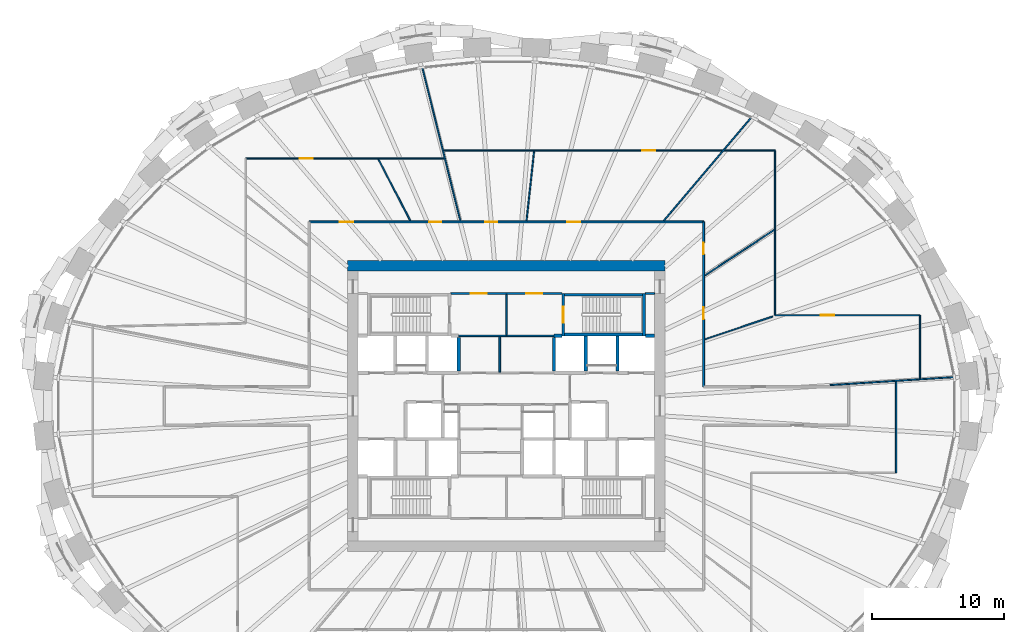
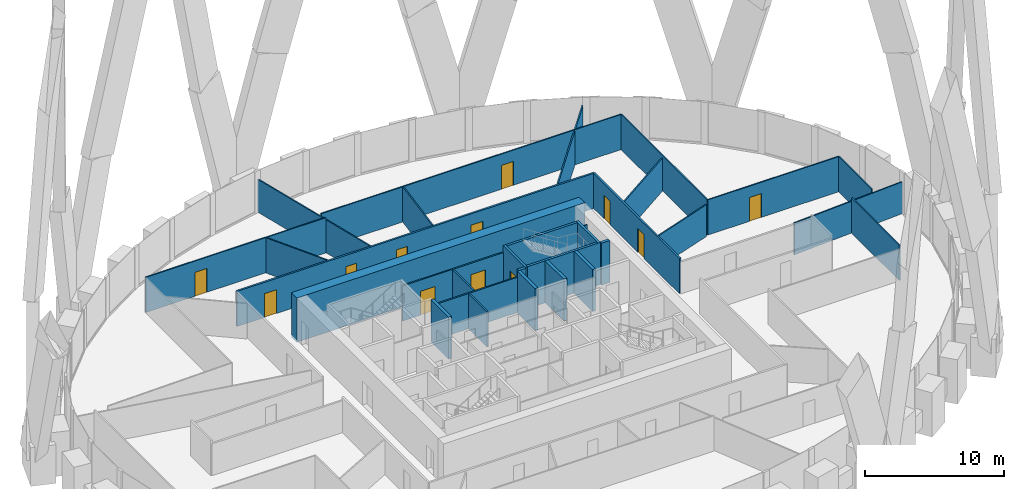
# One storey, part 10 of 12: 31 walls, 12 doors, 12 openings.
"""IFC4 building model written with IfcOpenShell, lengths in metres."""

from ifc_helpers import new_model, si_unit, direction, frame, frame_2d, origin, place, context, subcontext, project, spatial, rectangle, extrude, source, transform, mapped, material, layer, layer_set, type_object, element, fill, save


model = new_model("IFC4")

# Units and contexts
model_context = context("Model", 3, precision=1e-05, world=origin(), true_north=direction((0.0, 1.0)))
body_context = subcontext(model_context, "Body", "Model", "MODEL_VIEW")
ifc_project = project(units=[si_unit("LENGTHUNIT", "METRE"), si_unit("AREAUNIT", "SQUARE_METRE"), si_unit("VOLUMEUNIT", "CUBIC_METRE"), si_unit("PLANEANGLEUNIT", "RADIAN"), si_unit("MASSUNIT", "GRAM", prefix="KILO")], contexts=[model_context])

# Site, building, storey
site_placement = place(None, origin())
site = spatial("IfcSite", under=ifc_project, at=site_placement, CompositionType="ELEMENT")
building_placement = place(site_placement, origin())
building = spatial("IfcBuilding", under=site, at=building_placement, Name="Embergate Tower", CompositionType="ELEMENT")
storey_placement = place(building_placement, frame((0.0, 0.0, 222.89990234375)))
storey = spatial("IfcBuildingStorey", under=building, at=storey_placement, Name="L51", CompositionType="ELEMENT", Elevation=222.89990234375)

# Wall
ifc_material_1 = material(Name="Concrete C70", Category="concrete")
ifc_layer_1 = layer(ifc_material_1, 0.800048828125)
ifc_layer_set_1 = layer_set([ifc_layer_1], Name="Concrete C70")
wall_type_1 = type_object("IfcWallType", Name="Core outer wall C70 800", PredefinedType="SHEAR", material=ifc_layer_set_1)
shared_shape_1 = source(origin(), body_context, "Body", "SweptSolid", [
    extrude(rectangle(XDim=24.0, YDim=0.800048828125, at=frame_2d((12.0, 0.0))), origin(), (0.0, 0.0, 1.0), 3.900146484375),
])
wall_1_placement = place(storey_placement, frame((-12.0, 10.60009765625, -0.199951171875), z_axis=(0.0, 0.0, 1.0), x_axis=(1.0, 0.0, 0.0)))
element("IfcWall", 1, at=wall_1_placement, inside=storey, type_object=wall_type_1, Name="CW-L51-N", PredefinedType="SHEAR", context=body_context, shape_type="MappedRepresentation", body=[
    mapped(shared_shape_1, transform((0.0, 0.0, 0.0))),
])

# Wall, openings, doors
ifc_material_2 = material(Name="Core partition blockwork 120")
ifc_layer_2 = layer(ifc_material_2, 0.1201171875)
ifc_layer_set_2 = layer_set([ifc_layer_2], Name="Core partition blockwork 120")
wall_type_2 = type_object("IfcWallType", Name="Core partition blockwork 120", PredefinedType="PARTITIONING", material=ifc_layer_set_2)
shared_shape_2 = source(origin(), body_context, "Body", "SweptSolid", [
    extrude(rectangle(XDim=8.39990234375, YDim=0.1201171875, at=frame_2d((4.199951171875, 0.0))), origin(), (0.0, 0.0, 1.0), 3.10009765625),
])
wall_2_placement = place(storey_placement, frame((4.199951171875, 8.5, 0.0), z_axis=(0.0, 0.0, 1.0), x_axis=(-1.0, 0.0, 0.0)))
wall_2 = element("IfcWall", 2, at=wall_2_placement, inside=storey, type_object=wall_type_2, Name="IP-3 wall", PredefinedType="PARTITIONING", context=body_context, shape_type="MappedRepresentation", body=[
    mapped(shared_shape_2, transform((0.0, 0.0, 0.0))),
])
shared_shape_3 = source(origin(), body_context, "Body", "SweptSolid", [
    extrude(rectangle(XDim=1.199951171875, YDim=2.10009765625, at=frame_2d((0.60009765625, 1.050048828125))), frame((0.0, 0.070068359375, 0.0), z_axis=(0.0, -1.0, 0.0), x_axis=(1.0, 0.0, 0.0)), (0.0, 0.0, 1.0), 0.14013671875),
])
opening_1_placement = place(wall_2_placement, frame((5.699951171875, 0.0, 0.0)))
opening_1 = element("IfcOpeningElement", 3, at=opening_1_placement, cuts=wall_2, Name="Opening IF-3f", PredefinedType="OPENING", context=body_context, shape_type="MappedRepresentation", body=[
    mapped(shared_shape_3, transform((0.0, 0.0, 0.0))),
])
opening_2_placement = place(wall_2_placement, frame((1.5, 0.0, 0.0)))
opening_2 = element("IfcOpeningElement", 4, at=opening_2_placement, cuts=wall_2, Name="Opening IF-3f", PredefinedType="OPENING", context=body_context, shape_type="MappedRepresentation", body=[
    mapped(shared_shape_3, transform((0.0, 0.0, 0.0))),
])
ifc_material_3 = material(Name="Lobby fire door pair 1200")
door_type_1 = type_object("IfcDoorType", Name="Lobby fire door pair 1200", OperationType="DOUBLE_DOOR_SINGLE_SWING", PredefinedType="DOOR", material=ifc_material_3)
shared_shape_4 = source(origin(), body_context, "Body", "SweptSolid", [
    extrude(rectangle(XDim=1.199951171875, YDim=2.10009765625, at=frame_2d((0.60009765625, 1.050048828125))), frame((0.0, 0.02490234375, 0.0), z_axis=(0.0, -1.0, 0.0), x_axis=(1.0, 0.0, 0.0)), (0.0, 0.0, 1.0), 0.050048828125),
])
door_1_placement = place(opening_1_placement, origin())
door_1 = element("IfcDoor", 5, at=door_1_placement, inside=storey, type_object=door_type_1, Name="IF-3 door", OperationType="DOUBLE_DOOR_SINGLE_SWING", OverallHeight=2.10009765625, OverallWidth=1.199951171875, PredefinedType="DOOR", context=body_context, shape_type="MappedRepresentation", body=[
    mapped(shared_shape_4, transform((0.0, 0.0, 0.0))),
])
fill(opening_1, door_1)
door_2_placement = place(opening_2_placement, origin())
door_2 = element("IfcDoor", 6, at=door_2_placement, inside=storey, type_object=door_type_1, Name="IF-3 door", OperationType="DOUBLE_DOOR_SINGLE_SWING", OverallHeight=2.10009765625, OverallWidth=1.199951171875, PredefinedType="DOOR", context=body_context, shape_type="MappedRepresentation", body=[
    mapped(shared_shape_4, transform((0.0, 0.0, 0.0))),
])
fill(opening_2, door_2)

# Walls
shared_shape_5 = source(origin(), body_context, "Body", "SweptSolid", [
    extrude(rectangle(XDim=2.679931640625, YDim=0.1201171875, at=frame_2d((1.33984375, 0.0))), origin(), (0.0, 0.0, 1.0), 3.10009765625),
])
wall_3_placement = place(storey_placement, frame((-0.50390625, 2.56005859375, 0.0), z_axis=(0.0, 0.0, 1.0), x_axis=(0.0, 1.0, 0.0)))
element("IfcWall", 7, at=wall_3_placement, inside=storey, type_object=wall_type_2, Name="IP-3 wall", PredefinedType="PARTITIONING", context=body_context, shape_type="MappedRepresentation", body=[
    mapped(shared_shape_5, transform((0.0, 0.0, 0.0))),
])
ifc_material_4 = material(Name="Concrete C50", Category="concrete")
ifc_layer_3 = layer(ifc_material_4, 0.25)
ifc_layer_set_3 = layer_set([ifc_layer_3], Name="Concrete C50")
wall_type_3 = type_object("IfcWallType", Name="Hoistway wall reinforced concrete 250", PredefinedType="SHEAR", material=ifc_layer_set_3)
shared_shape_6 = source(origin(), body_context, "Body", "SweptSolid", [
    extrude(rectangle(XDim=2.675048828125, YDim=0.25, at=frame_2d((1.33740234375, 0.0))), origin(), (0.0, 0.0, 1.0), 3.7001953125),
])
for number, where, z_axis, x_axis, name in (
    (8, (6.0, 2.625, 0.0), (0.0, 0.0, 1.0), (0.0, 1.0, 0.0), "HW-1 wall"),
    (9, (8.39990234375, 2.625, 0.0), (0.0, 0.0, 1.0), (0.0, 1.0, 0.0), "HW-1 wall"),
):
    element("IfcWall", number, at=place(storey_placement, frame(where, z_axis=z_axis, x_axis=x_axis)), inside=storey, type_object=wall_type_3, Name=name, PredefinedType="SHEAR", context=body_context, shape_type="MappedRepresentation", body=[
        mapped(shared_shape_6, transform((0.0, 0.0, 0.0))),
    ])
ifc_layer_4 = layer(ifc_material_4, 0.199951171875)
ifc_layer_set_4 = layer_set([ifc_layer_4], Name="Concrete C50")
wall_type_4 = type_object("IfcWallType", Name="Stair enclosure wall reinforced concrete 250", PredefinedType="SHEAR", material=ifc_layer_set_4)
shared_shape_7 = source(origin(), body_context, "Body", "SweptSolid", [
    extrude(rectangle(XDim=6.300048828125, YDim=0.199951171875, at=frame_2d((3.14990234375, 0.0))), origin(), (0.0, 0.0, 1.0), 3.7001953125),
])
for number, where, z_axis, x_axis, name in (
    (10, (10.5, 5.39990234375, 0.0), (0.0, 0.0, 1.0), (-1.0, 0.0, 0.0), "SE-1 wall"),
    (11, (10.5, 8.39990234375, 0.0), (0.0, 0.0, 1.0), (-1.0, 0.0, 0.0), "SE-1 wall"),
):
    element("IfcWall", number, at=place(storey_placement, frame(where, z_axis=z_axis, x_axis=x_axis)), inside=storey, type_object=wall_type_4, Name=name, PredefinedType="SHEAR", context=body_context, shape_type="MappedRepresentation", body=[
        mapped(shared_shape_7, transform((0.0, 0.0, 0.0))),
    ])
shared_shape_8 = source(origin(), body_context, "Body", "SweptSolid", [
    extrude(rectangle(XDim=2.550048828125, YDim=0.25, at=frame_2d((1.27490234375, 0.0))), origin(), (0.0, 0.0, 1.0), 3.7001953125),
])
for number, where, z_axis, x_axis, name in (
    (12, (-3.60009765625, 2.625, 0.0), (0.0, 0.0, 1.0), (0.0, 1.0, 0.0), "HW-1 wall"),
    (13, (3.60009765625, 5.175048828125, 0.0), (0.0, 0.0, 1.0), (0.0, -1.0, 0.0), "HW-1 wall"),
):
    element("IfcWall", number, at=place(storey_placement, frame(where, z_axis=z_axis, x_axis=x_axis)), inside=storey, type_object=wall_type_3, Name=name, PredefinedType="SHEAR", context=body_context, shape_type="MappedRepresentation", body=[
        mapped(shared_shape_8, transform((0.0, 0.0, 0.0))),
    ])

# Wall, opening, door
shared_shape_9 = source(origin(), body_context, "Body", "SweptSolid", [
    extrude(rectangle(XDim=3.199951171875, YDim=0.199951171875, at=frame_2d((1.60009765625, 0.0))), origin(), (0.0, 0.0, 1.0), 3.7001953125),
])
wall_4_placement = place(storey_placement, frame((4.300048828125, 8.5, 0.0), z_axis=(0.0, 0.0, 1.0), x_axis=(0.0, -1.0, 0.0)))
wall_4 = element("IfcWall", 14, at=wall_4_placement, inside=storey, type_object=wall_type_4, Name="SE-1 wall", PredefinedType="SHEAR", context=body_context, shape_type="MappedRepresentation", body=[
    mapped(shared_shape_9, transform((0.0, 0.0, 0.0))),
])
shared_shape_10 = source(origin(), body_context, "Body", "SweptSolid", [
    extrude(rectangle(XDim=1.199951171875, YDim=2.10009765625, at=frame_2d((0.60009765625, 1.050048828125))), frame((0.0, 0.10986328125, 0.0), z_axis=(0.0, -1.0, 0.0), x_axis=(1.0, 0.0, 0.0)), (0.0, 0.0, 1.0), 0.219970703125),
])
opening_3_placement = place(wall_4_placement, frame((1.0, 0.0, 0.0)))
opening_3 = element("IfcOpeningElement", 15, at=opening_3_placement, cuts=wall_4, Name="Opening IF-2", PredefinedType="OPENING", context=body_context, shape_type="MappedRepresentation", body=[
    mapped(shared_shape_10, transform((0.0, 0.0, 0.0))),
])
ifc_material_5 = material(Name="Stair enclosure door 1200")
door_type_2 = type_object("IfcDoorType", Name="Stair enclosure door 1200", OperationType="SINGLE_SWING_LEFT", PredefinedType="DOOR", material=ifc_material_5)
door_3_placement = place(opening_3_placement, origin())
door_3 = element("IfcDoor", 16, at=door_3_placement, inside=storey, type_object=door_type_2, Name="IF-2 door", OperationType="SINGLE_SWING_RIGHT", OverallHeight=2.10009765625, OverallWidth=1.199951171875, PredefinedType="DOOR", context=body_context, shape_type="MappedRepresentation", body=[
    mapped(shared_shape_4, transform((0.0, 0.0, 0.0))),
])
fill(opening_3, door_3)

ifc_material_6 = material(Name="Partition dry-lined 100")
ifc_layer_5 = layer(ifc_material_6, 0.10009765625)
ifc_layer_set_5 = layer_set([ifc_layer_5], Name="Partition dry-lined 100")
wall_type_5 = type_object("IfcWallType", Name="Partition dry-lined 100", PredefinedType="PARTITIONING", material=ifc_layer_set_5)
shared_shape_11 = source(origin(), body_context, "Body", "SweptSolid", [
    extrude(rectangle(XDim=10.949951171875, YDim=0.10009765625, at=frame_2d((5.47509765625, 0.0))), origin(), (0.0, 0.0, 1.0), 3.10009765625),
])
wall_5_placement = place(storey_placement, frame((20.300048828125, 6.85009765625, 0.0), z_axis=(0.0, 0.0, 1.0), x_axis=(1.0, 0.0, 0.0)))
wall_5 = element("IfcWall", 17, at=wall_5_placement, inside=storey, type_object=wall_type_5, Name="IP-1 wall", PredefinedType="PARTITIONING", context=body_context, shape_type="MappedRepresentation", body=[
    mapped(shared_shape_11, transform((0.0, 0.0, 0.0))),
])
shared_shape_12 = source(origin(), body_context, "Body", "SweptSolid", [
    extrude(rectangle(XDim=1.0, YDim=2.10009765625, at=frame_2d((0.5, 1.050048828125))), frame((0.0, 0.06005859375, 0.0), z_axis=(0.0, -1.0, 0.0), x_axis=(1.0, 0.0, 0.0)), (0.0, 0.0, 1.0), 0.1201171875),
])
opening_4_placement = place(wall_5_placement, frame((3.45703125, 0.0, 0.0)))
opening_4 = element("IfcOpeningElement", 18, at=opening_4_placement, cuts=wall_5, Name="Opening ID-2", PredefinedType="OPENING", context=body_context, shape_type="MappedRepresentation", body=[
    mapped(shared_shape_12, transform((0.0, 0.0, 0.0))),
])
ifc_material_7 = material(Name="Interior door 1000")
door_type_3 = type_object("IfcDoorType", Name="Interior door 1000", OperationType="SINGLE_SWING_LEFT", PredefinedType="DOOR", material=ifc_material_7)
shared_shape_13 = source(origin(), body_context, "Body", "SweptSolid", [
    extrude(rectangle(XDim=1.0, YDim=2.10009765625, at=frame_2d((0.5, 1.050048828125))), frame((0.0, 0.02490234375, 0.0), z_axis=(0.0, -1.0, 0.0), x_axis=(1.0, 0.0, 0.0)), (0.0, 0.0, 1.0), 0.050048828125),
])
door_4_placement = place(opening_4_placement, origin())
door_4 = element("IfcDoor", 19, at=door_4_placement, inside=storey, type_object=door_type_3, Name="ID-2 door", OperationType="SINGLE_SWING_RIGHT", OverallHeight=2.10009765625, OverallWidth=1.0, PredefinedType="DOOR", context=body_context, shape_type="MappedRepresentation", body=[
    mapped(shared_shape_13, transform((0.0, 0.0, 0.0))),
])
fill(opening_4, door_4)

# Walls
shared_shape_14 = source(origin(), body_context, "Body", "SweptSolid", [
    extrude(rectangle(XDim=7.2001953125, YDim=0.1201171875, at=frame_2d((3.60009765625, 0.0))), origin(), (0.0, 0.0, 1.0), 3.10009765625),
])
wall_6_placement = place(storey_placement, frame((-3.60009765625, 5.300048828125, 0.0), z_axis=(0.0, 0.0, 1.0), x_axis=(1.0, 0.0, 0.0)))
element("IfcWall", 20, at=wall_6_placement, inside=storey, type_object=wall_type_2, Name="IP-3 wall", PredefinedType="PARTITIONING", context=body_context, shape_type="MappedRepresentation", body=[
    mapped(shared_shape_14, transform((0.0, 0.0, 0.0))),
])
shared_shape_15 = source(origin(), body_context, "Body", "SweptSolid", [
    extrude(rectangle(XDim=3.079833984375, YDim=0.1201171875, at=frame_2d((1.5400390625, 0.0))), origin(), (0.0, 0.0, 1.0), 3.10009765625),
])
wall_7_placement = place(storey_placement, frame((0.0, 5.360107421875, 0.0), z_axis=(0.0, 0.0, 1.0), x_axis=(0.0, 1.0, 0.0)))
element("IfcWall", 21, at=wall_7_placement, inside=storey, type_object=wall_type_2, Name="IP-3 wall", PredefinedType="PARTITIONING", context=body_context, shape_type="MappedRepresentation", body=[
    mapped(shared_shape_15, transform((0.0, 0.0, 0.0))),
])
shared_shape_16 = source(origin(), body_context, "Body", "SweptSolid", [
    extrude(rectangle(XDim=0.697998046875, YDim=0.1201171875, at=frame_2d((0.34912109375, 0.0))), origin(), (0.0, 0.0, 1.0), 3.10009765625),
])
wall_8_placement = place(storey_placement, frame((10.501953125, 8.5, 0.0), z_axis=(0.0, 0.0, 1.0), x_axis=(1.0, 0.0, 0.0)))
element("IfcWall", 22, at=wall_8_placement, inside=storey, type_object=wall_type_2, Name="IP-3 wall", PredefinedType="PARTITIONING", context=body_context, shape_type="MappedRepresentation", body=[
    mapped(shared_shape_16, transform((0.0, 0.0, 0.0))),
])
shared_shape_17 = source(origin(), body_context, "Body", "SweptSolid", [
    extrude(rectangle(XDim=0.599853515625, YDim=0.25, at=frame_2d((0.2998046875, 0.0))), origin(), (0.0, 0.0, 1.0), 3.7001953125),
])
wall_9_placement = place(storey_placement, frame((4.199951171875, 5.300048828125, 0.0), z_axis=(0.0, 0.0, 1.0), x_axis=(-1.0, 0.0, 0.0)))
element("IfcWall", 23, at=wall_9_placement, inside=storey, type_object=wall_type_3, Name="HW-1 wall", PredefinedType="SHEAR", context=body_context, shape_type="MappedRepresentation", body=[
    mapped(shared_shape_17, transform((0.0, 0.0, 0.0))),
])
shared_shape_18 = source(origin(), body_context, "Body", "SweptSolid", [
    extrude(rectangle(XDim=3.196044921875, YDim=0.199951171875, at=frame_2d((1.59814453125, 0.0))), origin(), (0.0, 0.0, 1.0), 3.7001953125),
])
wall_10_placement = place(storey_placement, frame((10.39990234375, 5.302001953125, 0.0), z_axis=(0.0, 0.0, 1.0), x_axis=(0.0, 1.0, 0.0)))
element("IfcWall", 24, at=wall_10_placement, inside=storey, type_object=wall_type_4, Name="SE-1 wall", PredefinedType="SHEAR", context=body_context, shape_type="MappedRepresentation", body=[
    mapped(shared_shape_18, transform((0.0, 0.0, 0.0))),
])
shared_shape_19 = source(origin(), body_context, "Body", "SweptSolid", [
    extrude(rectangle(XDim=0.697998046875, YDim=0.25, at=frame_2d((0.34912109375, 0.0))), origin(), (0.0, 0.0, 1.0), 3.7001953125),
])
wall_11_placement = place(storey_placement, frame((11.199951171875, 5.300048828125, 0.0), z_axis=(0.0, 0.0, 1.0), x_axis=(-1.0, 0.0, 0.0)))
element("IfcWall", 25, at=wall_11_placement, inside=storey, type_object=wall_type_3, Name="HW-1 wall", PredefinedType="SHEAR", context=body_context, shape_type="MappedRepresentation", body=[
    mapped(shared_shape_19, transform((0.0, 0.0, 0.0))),
])

# Wall, openings, doors
ifc_material_8 = material(Name="Corridor wall dry-lined 150")
ifc_layer_6 = layer(ifc_material_8, 0.14990234375)
ifc_layer_set_6 = layer_set([ifc_layer_6], Name="Corridor wall dry-lined 150")
wall_type_6 = type_object("IfcWallType", Name="Corridor wall dry-lined 150", PredefinedType="PARTITIONING", material=ifc_layer_set_6)
shared_shape_20 = source(origin(), body_context, "Body", "SweptSolid", [
    extrude(rectangle(XDim=29.7998046875, YDim=0.14990234375, at=frame_2d((14.89990234375, 0.0))), origin(), (0.0, 0.0, 1.0), 3.10009765625),
])
wall_12_placement = place(storey_placement, frame((-14.89990234375, 13.89990234375, 0.0), z_axis=(0.0, 0.0, 1.0), x_axis=(1.0, 0.0, 0.0)))
wall_12 = element("IfcWall", 26, at=wall_12_placement, inside=storey, type_object=wall_type_6, Name="IP-2 wall", PredefinedType="PARTITIONING", context=body_context, shape_type="MappedRepresentation", body=[
    mapped(shared_shape_20, transform((0.0, 0.0, 0.0))),
])
shared_shape_21 = source(origin(), body_context, "Body", "SweptSolid", [
    extrude(rectangle(XDim=1.0, YDim=2.10009765625, at=frame_2d((0.5, 1.050048828125))), frame((0.0, 0.0849609375, 0.0), z_axis=(0.0, -1.0, 0.0), x_axis=(1.0, 0.0, 0.0)), (0.0, 0.0, 1.0), 0.169921875),
])
opening_5_placement = place(wall_12_placement, frame((19.492919921875, 0.0, 0.0)))
opening_5 = element("IfcOpeningElement", 27, at=opening_5_placement, cuts=wall_12, Name="Opening ID-2", PredefinedType="OPENING", context=body_context, shape_type="MappedRepresentation", body=[
    mapped(shared_shape_21, transform((0.0, 0.0, 0.0))),
])
shared_shape_22 = source(origin(), body_context, "Body", "SweptSolid", [
    extrude(rectangle(XDim=0.89990234375, YDim=2.10009765625, at=frame_2d((0.449951171875, 1.050048828125))), frame((0.0, 0.0849609375, 0.0), z_axis=(0.0, -1.0, 0.0), x_axis=(1.0, 0.0, 0.0)), (0.0, 0.0, 1.0), 0.169921875),
])
opening_6_placement = place(wall_12_placement, frame((13.305908203125, 0.0, 0.0)))
opening_6 = element("IfcOpeningElement", 28, at=opening_6_placement, cuts=wall_12, Name="Opening IF-1c", PredefinedType="OPENING", context=body_context, shape_type="MappedRepresentation", body=[
    mapped(shared_shape_22, transform((0.0, 0.0, 0.0))),
])
opening_7_placement = place(wall_12_placement, frame((9.073974609375, 0.0, 0.0)))
opening_7 = element("IfcOpeningElement", 29, at=opening_7_placement, cuts=wall_12, Name="Opening IF-1c", PredefinedType="OPENING", context=body_context, shape_type="MappedRepresentation", body=[
    mapped(shared_shape_22, transform((0.0, 0.0, 0.0))),
])
opening_8_placement = place(wall_12_placement, frame((2.31005859375, 0.0, 0.0)))
opening_8 = element("IfcOpeningElement", 30, at=opening_8_placement, cuts=wall_12, Name="Opening ID-2", PredefinedType="OPENING", context=body_context, shape_type="MappedRepresentation", body=[
    mapped(shared_shape_21, transform((0.0, 0.0, 0.0))),
])
ifc_material_9 = material(Name="Escape fire door 900")
door_type_4 = type_object("IfcDoorType", Name="Escape fire door 900", OperationType="SINGLE_SWING_LEFT", PredefinedType="DOOR", material=ifc_material_9)
shared_shape_23 = source(origin(), body_context, "Body", "SweptSolid", [
    extrude(rectangle(XDim=0.89990234375, YDim=2.10009765625, at=frame_2d((0.449951171875, 1.050048828125))), frame((0.0, 0.02490234375, 0.0), z_axis=(0.0, -1.0, 0.0), x_axis=(1.0, 0.0, 0.0)), (0.0, 0.0, 1.0), 0.050048828125),
])
door_5_placement = place(opening_6_placement, origin())
door_5 = element("IfcDoor", 31, at=door_5_placement, inside=storey, type_object=door_type_4, Name="IF-1 door", OperationType="SINGLE_SWING_RIGHT", OverallHeight=2.10009765625, OverallWidth=0.89990234375, PredefinedType="DOOR", context=body_context, shape_type="MappedRepresentation", body=[
    mapped(shared_shape_23, transform((0.0, 0.0, 0.0))),
])
fill(opening_6, door_5)
door_6_placement = place(opening_7_placement, origin())
door_6 = element("IfcDoor", 32, at=door_6_placement, inside=storey, type_object=door_type_4, Name="IF-1 door", OperationType="SINGLE_SWING_LEFT", OverallHeight=2.10009765625, OverallWidth=0.89990234375, PredefinedType="DOOR", context=body_context, shape_type="MappedRepresentation", body=[
    mapped(shared_shape_23, transform((0.0, 0.0, 0.0))),
])
fill(opening_7, door_6)
door_7_placement = place(opening_5_placement, origin())
door_7 = element("IfcDoor", 33, at=door_7_placement, inside=storey, type_object=door_type_3, Name="ID-2 door", OperationType="SINGLE_SWING_RIGHT", OverallHeight=2.10009765625, OverallWidth=1.0, PredefinedType="DOOR", context=body_context, shape_type="MappedRepresentation", body=[
    mapped(shared_shape_13, transform((0.0, 0.0, 0.0))),
])
fill(opening_5, door_7)
door_8_placement = place(opening_8_placement, origin())
door_8 = element("IfcDoor", 34, at=door_8_placement, inside=storey, type_object=door_type_3, Name="ID-2 door", OperationType="SINGLE_SWING_LEFT", OverallHeight=2.10009765625, OverallWidth=1.0, PredefinedType="DOOR", context=body_context, shape_type="MappedRepresentation", body=[
    mapped(shared_shape_13, transform((0.0, 0.0, 0.0))),
])
fill(opening_8, door_8)

shared_shape_24 = source(origin(), body_context, "Body", "SweptSolid", [
    extrude(rectangle(XDim=12.449951171875, YDim=0.14990234375, at=frame_2d((6.22509765625, 0.0))), origin(), (0.0, 0.0, 1.0), 3.10009765625),
])
wall_13_placement = place(storey_placement, frame((14.89990234375, 1.449951171875, 0.0), z_axis=(0.0, 0.0, 1.0), x_axis=(0.0, 1.0, 0.0)))
wall_13 = element("IfcWall", 35, at=wall_13_placement, inside=storey, type_object=wall_type_6, Name="IP-2 wall", PredefinedType="PARTITIONING", context=body_context, shape_type="MappedRepresentation", body=[
    mapped(shared_shape_24, transform((0.0, 0.0, 0.0))),
])
opening_9_placement = place(wall_13_placement, frame((5.10302734375, 0.0, 0.0)))
opening_9 = element("IfcOpeningElement", 36, at=opening_9_placement, cuts=wall_13, Name="Opening IF-1c", PredefinedType="OPENING", context=body_context, shape_type="MappedRepresentation", body=[
    mapped(shared_shape_22, transform((0.0, 0.0, 0.0))),
])
opening_10_placement = place(wall_13_placement, frame((9.9990234375, 0.0, 0.0)))
opening_10 = element("IfcOpeningElement", 37, at=opening_10_placement, cuts=wall_13, Name="Opening IF-1c", PredefinedType="OPENING", context=body_context, shape_type="MappedRepresentation", body=[
    mapped(shared_shape_22, transform((0.0, 0.0, 0.0))),
])
door_9_placement = place(opening_9_placement, origin())
door_9 = element("IfcDoor", 38, at=door_9_placement, inside=storey, type_object=door_type_4, Name="IF-1 door", OperationType="SINGLE_SWING_LEFT", OverallHeight=2.10009765625, OverallWidth=0.89990234375, PredefinedType="DOOR", context=body_context, shape_type="MappedRepresentation", body=[
    mapped(shared_shape_23, transform((0.0, 0.0, 0.0))),
])
fill(opening_9, door_9)
door_10_placement = place(opening_10_placement, origin())
door_10 = element("IfcDoor", 39, at=door_10_placement, inside=storey, type_object=door_type_4, Name="IF-1 door", OperationType="SINGLE_SWING_LEFT", OverallHeight=2.10009765625, OverallWidth=0.89990234375, PredefinedType="DOOR", context=body_context, shape_type="MappedRepresentation", body=[
    mapped(shared_shape_23, transform((0.0, 0.0, 0.0))),
])
fill(opening_10, door_10)

# Walls
shared_shape_25 = source(origin(), body_context, "Body", "SweptSolid", [
    extrude(rectangle(XDim=10.236083984375, YDim=0.10009765625, at=frame_2d((5.1181640625, 0.0))), origin(), (0.0, 0.0, 1.0), 3.0),
])
wall_14_placement = place(storey_placement, frame((11.89306640625, 14.007080078125, 0.0), z_axis=(0.0, 0.0, 1.0), x_axis=(0.647221146286, 0.762302294238, 0.0)))
element("IfcWall", 40, at=wall_14_placement, inside=storey, type_object=wall_type_5, Name="IP-1 wall", PredefinedType="PARTITIONING", context=body_context, shape_type="MappedRepresentation", body=[
    mapped(shared_shape_25, transform((0.0, 0.0, 0.0))),
])
shared_shape_26 = source(origin(), body_context, "Body", "SweptSolid", [
    extrude(rectangle(XDim=12.449951171875, YDim=0.10009765625, at=frame_2d((6.22509765625, 0.0))), origin(), (0.0, 0.0, 1.0), 3.10009765625),
])
wall_15_placement = place(storey_placement, frame((20.300048828125, 19.300048828125, 0.0), z_axis=(0.0, 0.0, 1.0), x_axis=(0.0, -1.0, 0.0)))
element("IfcWall", 41, at=wall_15_placement, inside=storey, type_object=wall_type_5, Name="IP-1 wall", PredefinedType="PARTITIONING", context=body_context, shape_type="MappedRepresentation", body=[
    mapped(shared_shape_26, transform((0.0, 0.0, 0.0))),
])
shared_shape_27 = source(origin(), body_context, "Body", "SweptSolid", [
    extrude(rectangle(XDim=6.89697265625, YDim=0.10009765625, at=frame_2d((3.448486328125, 0.0))), origin(), (0.0, 0.0, 1.0), 3.10009765625),
])
wall_16_placement = place(storey_placement, frame((29.449951171875, -5.050048828125, 0.0), z_axis=(0.0, 0.0, 1.0), x_axis=(0.0, 1.0, 0.0)))
element("IfcWall", 42, at=wall_16_placement, inside=storey, type_object=wall_type_5, Name="IP-1 wall", PredefinedType="PARTITIONING", context=body_context, shape_type="MappedRepresentation", body=[
    mapped(shared_shape_27, transform((0.0, 0.0, 0.0))),
])
shared_shape_28 = source(origin(), body_context, "Body", "SweptSolid", [
    extrude(rectangle(XDim=9.401611328125, YDim=0.10009765625, at=frame_2d((4.70068359375, 0.0))), origin(), (0.0, 0.0, 1.0), 2.800048828125),
])
wall_17_placement = place(storey_placement, frame((33.8349609375, 2.178955078125, 0.0), z_axis=(0.0, 0.0, 1.0), x_axis=(-0.997934126107, -0.064245466392, 0.0)))
element("IfcWall", 43, at=wall_17_placement, inside=storey, type_object=wall_type_5, Name="IP-1 wall", PredefinedType="PARTITIONING", context=body_context, shape_type="MappedRepresentation", body=[
    mapped(shared_shape_28, transform((0.0, 0.0, 0.0))),
])
shared_shape_29 = source(origin(), body_context, "Body", "SweptSolid", [
    extrude(rectangle(XDim=5.4072265625, YDim=0.10009765625, at=frame_2d((2.70361328125, 0.0))), origin(), (0.0, 0.0, 1.0), 2.800048828125),
])
wall_18_placement = place(storey_placement, frame((14.990966796875, 5.031982421875, 0.0), z_axis=(0.0, 0.0, 1.0), x_axis=(0.947999306644, 0.318272390576, 0.0)))
element("IfcWall", 44, at=wall_18_placement, inside=storey, type_object=wall_type_5, Name="IP-1 wall", PredefinedType="PARTITIONING", context=body_context, shape_type="MappedRepresentation", body=[
    mapped(shared_shape_29, transform((0.0, 0.0, 0.0))),
])
shared_shape_30 = source(origin(), body_context, "Body", "SweptSolid", [
    extrude(rectangle(XDim=4.787109375, YDim=0.10009765625, at=frame_2d((2.3935546875, 0.0))), origin(), (0.0, 0.0, 1.0), 3.10009765625),
])
wall_19_placement = place(storey_placement, frame((31.25, 6.85009765625, 0.0), z_axis=(0.0, 0.0, 1.0), x_axis=(0.0, -1.0, 0.0)))
element("IfcWall", 45, at=wall_19_placement, inside=storey, type_object=wall_type_5, Name="IP-1 wall", PredefinedType="PARTITIONING", context=body_context, shape_type="MappedRepresentation", body=[
    mapped(shared_shape_30, transform((0.0, 0.0, 0.0))),
])
shared_shape_31 = source(origin(), body_context, "Body", "SweptSolid", [
    extrude(rectangle(XDim=6.247802734375, YDim=0.10009765625, at=frame_2d((3.1240234375, 0.0))), origin(), (0.0, 0.0, 1.0), 2.900146484375),
])
wall_20_placement = place(storey_placement, frame((15.001953125, 9.862060546875, 0.0), z_axis=(0.0, 0.0, 1.0), x_axis=(0.835633737259, 0.549287044408, 0.0)))
element("IfcWall", 46, at=wall_20_placement, inside=storey, type_object=wall_type_5, Name="IP-1 wall", PredefinedType="PARTITIONING", context=body_context, shape_type="MappedRepresentation", body=[
    mapped(shared_shape_31, transform((0.0, 0.0, 0.0))),
])

# Wall, opening, door
shared_shape_32 = source(origin(), body_context, "Body", "SweptSolid", [
    extrude(rectangle(XDim=25.030029296875, YDim=0.10009765625, at=frame_2d((12.51513671875, 0.0))), origin(), (0.0, 0.0, 1.0), 3.10009765625),
])
wall_21_placement = place(storey_placement, frame((-4.72998046875, 19.300048828125, 0.0), z_axis=(0.0, 0.0, 1.0), x_axis=(1.0, 0.0, 0.0)))
wall_21 = element("IfcWall", 47, at=wall_21_placement, inside=storey, type_object=wall_type_5, Name="IP-1 wall", PredefinedType="PARTITIONING", context=body_context, shape_type="MappedRepresentation", body=[
    mapped(shared_shape_32, transform((0.0, 0.0, 0.0))),
])
opening_11_placement = place(wall_21_placement, frame((14.99560546875, 0.0, 0.0)))
opening_11 = element("IfcOpeningElement", 48, at=opening_11_placement, cuts=wall_21, Name="Opening ID-2", PredefinedType="OPENING", context=body_context, shape_type="MappedRepresentation", body=[
    mapped(shared_shape_12, transform((0.0, 0.0, 0.0))),
])
door_11_placement = place(opening_11_placement, origin())
door_11 = element("IfcDoor", 49, at=door_11_placement, inside=storey, type_object=door_type_3, Name="ID-2 door", OperationType="SINGLE_SWING_RIGHT", OverallHeight=2.10009765625, OverallWidth=1.0, PredefinedType="DOOR", context=body_context, shape_type="MappedRepresentation", body=[
    mapped(shared_shape_13, transform((0.0, 0.0, 0.0))),
])
fill(opening_11, door_11)

# Walls
shared_shape_33 = source(origin(), body_context, "Body", "SweptSolid", [
    extrude(rectangle(XDim=5.296142578125, YDim=0.10009765625, at=frame_2d((2.64794921875, 0.0))), origin(), (0.0, 0.0, 1.0), 3.10009765625),
])
wall_22_placement = place(storey_placement, frame((1.52001953125, 13.97998046875, 0.0), z_axis=(0.0, 0.0, 1.0), x_axis=(0.108189913904, 0.994130244248, 0.0)))
element("IfcWall", 50, at=wall_22_placement, inside=storey, type_object=wall_type_5, Name="IP-1 wall", PredefinedType="PARTITIONING", context=body_context, shape_type="MappedRepresentation", body=[
    mapped(shared_shape_33, transform((0.0, 0.0, 0.0))),
])
shared_shape_34 = source(origin(), body_context, "Body", "SweptSolid", [
    extrude(rectangle(XDim=11.931640625, YDim=0.10009765625, at=frame_2d((5.9658203125, 0.0))), origin(), (0.0, 0.0, 1.0), 2.900146484375),
])
wall_23_placement = place(storey_placement, frame((-3.47412109375, 13.987060546875, 0.0), z_axis=(0.0, 0.0, 1.0), x_axis=(-0.24103802615, 0.970515672182, 0.0)))
element("IfcWall", 51, at=wall_23_placement, inside=storey, type_object=wall_type_5, Name="IP-1 wall", PredefinedType="PARTITIONING", context=body_context, shape_type="MappedRepresentation", body=[
    mapped(shared_shape_34, transform((0.0, 0.0, 0.0))),
])
shared_shape_35 = source(origin(), body_context, "Body", "SweptSolid", [
    extrude(rectangle(XDim=5.214111328125, YDim=0.10009765625, at=frame_2d((2.60693359375, 0.0))), origin(), (0.0, 0.0, 1.0), 3.10009765625),
])
wall_24_placement = place(storey_placement, frame((-7.260009765625, 13.998046875, 0.0), z_axis=(0.0, 0.0, 1.0), x_axis=(-0.460276161661, 0.887775790955, 0.0)))
element("IfcWall", 52, at=wall_24_placement, inside=storey, type_object=wall_type_5, Name="IP-1 wall", PredefinedType="PARTITIONING", context=body_context, shape_type="MappedRepresentation", body=[
    mapped(shared_shape_35, transform((0.0, 0.0, 0.0))),
])

# Wall, opening, door
shared_shape_36 = source(origin(), body_context, "Body", "SweptSolid", [
    extrude(rectangle(XDim=14.990966796875, YDim=0.10009765625, at=frame_2d((7.49560546875, 0.0))), origin(), (0.0, 0.0, 1.0), 3.10009765625),
])
wall_25_placement = place(storey_placement, frame((-19.699951171875, 18.699951171875, 0.0), z_axis=(0.0, 0.0, 1.0), x_axis=(1.0, 0.0, 0.0)))
wall_25 = element("IfcWall", 53, at=wall_25_placement, inside=storey, type_object=wall_type_5, Name="IP-1 wall", PredefinedType="PARTITIONING", context=body_context, shape_type="MappedRepresentation", body=[
    mapped(shared_shape_36, transform((0.0, 0.0, 0.0))),
])
opening_12_placement = place(wall_25_placement, frame((4.0810546875, 0.0, 0.0)))
opening_12 = element("IfcOpeningElement", 54, at=opening_12_placement, cuts=wall_25, Name="Opening ID-2", PredefinedType="OPENING", context=body_context, shape_type="MappedRepresentation", body=[
    mapped(shared_shape_12, transform((0.0, 0.0, 0.0))),
])
door_12_placement = place(opening_12_placement, origin())
door_12 = element("IfcDoor", 55, at=door_12_placement, inside=storey, type_object=door_type_3, Name="ID-2 door", OperationType="SINGLE_SWING_LEFT", OverallHeight=2.10009765625, OverallWidth=1.0, PredefinedType="DOOR", context=body_context, shape_type="MappedRepresentation", body=[
    mapped(shared_shape_13, transform((0.0, 0.0, 0.0))),
])
fill(opening_12, door_12)

save(model, "model.ifc")
